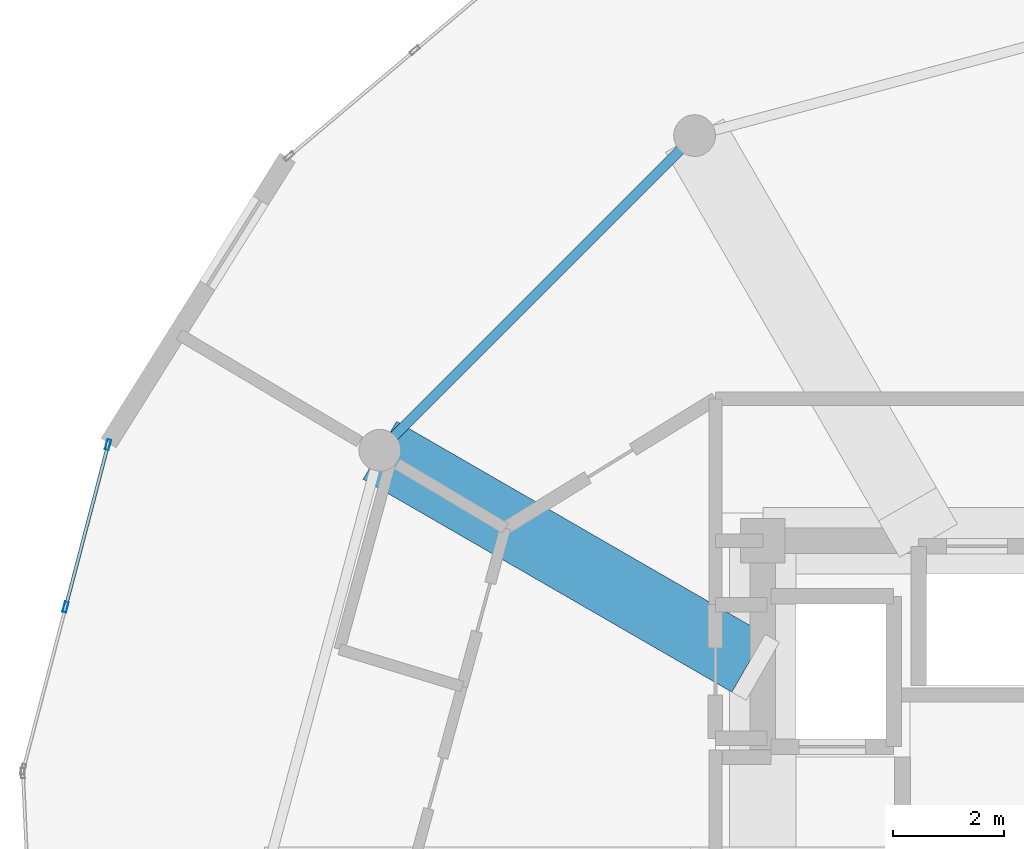
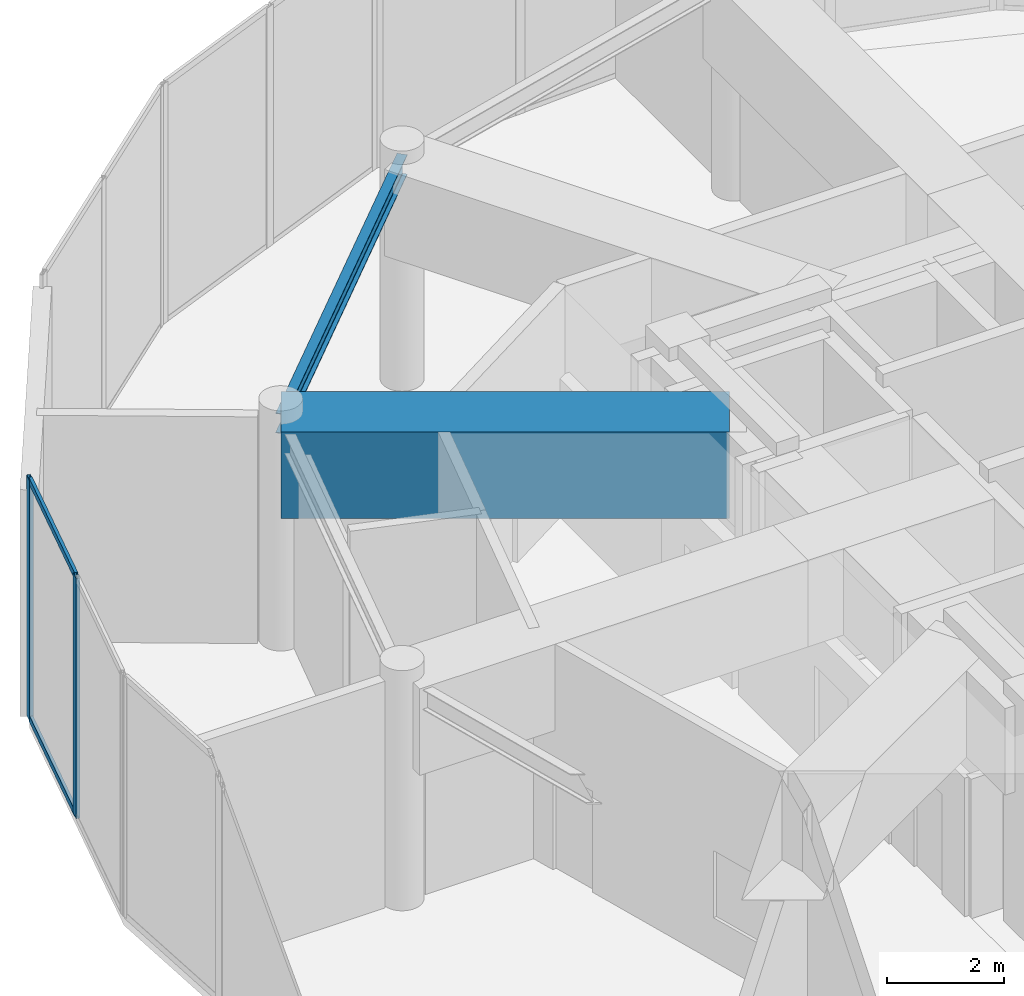
# One storey, part 10 of 20: 4 members, 2 beams, 1 element without a shape of its own.
"""IFC4 building model written with IfcOpenShell, lengths in metres."""

from ifc_helpers import new_model, si_unit, direction, frame, origin, origin_2d, place, context, subcontext, project, spatial, rectangle, hollow_rectangle, i_section, extrude, source, transform, mapped, material, layer, layer_set, material_profile, profile_set, type_object, element, aggregate, save


model = new_model("IFC4")

# Units and contexts
model_context = context("Model", 3, precision=1e-05, world=origin(), true_north=direction((0.0, 1.0)))
body_context = subcontext(model_context, "Body", "Model", "MODEL_VIEW")
ifc_project = project(units=[si_unit("LENGTHUNIT", "METRE"), si_unit("AREAUNIT", "SQUARE_METRE"), si_unit("VOLUMEUNIT", "CUBIC_METRE"), si_unit("PLANEANGLEUNIT", "RADIAN"), si_unit("MASSUNIT", "GRAM", prefix="KILO")], contexts=[model_context])

# Site, building, storey
site_placement = place(None, origin())
site = spatial("IfcSite", under=ifc_project, at=site_placement, CompositionType="ELEMENT")
building_placement = place(site_placement, origin())
building = spatial("IfcBuilding", under=site, at=building_placement, Name="Solvirekh Grand Hotel", CompositionType="ELEMENT")
storey_placement = place(building_placement, frame((0.0, 0.0, 297.199951171875)))
storey = spatial("IfcBuildingStorey", under=building, at=storey_placement, Name="L77", CompositionType="ELEMENT", Elevation=297.199951171875)

# Beams
ifc_material_1 = material(Name="Steel S355", Category="steel")
ifc_material_profile_1 = material_profile(ifc_material_1, i_section(OverallWidth=0.180908203125, OverallDepth=0.4169921875, WebThickness=0.010009765625, FlangeThickness=0.01611328125, FilletRadius=0.011962890625, at=origin_2d()), Name="W410X85")
ifc_profile_set_1 = profile_set([ifc_material_profile_1], Name="Steel S355")
beam_type_1 = type_object("IfcBeamType", Name="Spandrel_Ring_W410", PredefinedType="SPANDREL", material=ifc_profile_set_1)
beam_1_placement = place(storey_placement, frame((-7.72509765625, 13.3798828125, 4.470947265625), z_axis=(-0.707106781187, -0.707106781187, 0.0), x_axis=(0.707106781187, -0.707106781187, 0.0)))
element("IfcBeam", 1, at=beam_1_placement, inside=storey, type_object=beam_type_1, Name="L77 perimeter spandrel beam 5", PredefinedType="SPANDREL", context=body_context, shape_type="SweptSolid", body=[
    extrude(i_section(OverallWidth=0.180908203125, OverallDepth=0.4169921875, WebThickness=0.010009765625, FlangeThickness=0.01611328125, FilletRadius=0.011962890625, at=origin_2d()), origin(), (0.0, 0.0, 1.0), 7.9970703125),
])
ifc_material_2 = material(Name="Concrete C60/75", Category="concrete")
ifc_material_profile_2 = material_profile(ifc_material_2, rectangle(XDim=1.199951171875, YDim=1.800048828125, at=origin_2d()), Name="RC GIRDER 1200X1800")
ifc_profile_set_2 = profile_set([ifc_material_profile_2], Name="Concrete C60/75")
beam_type_2 = type_object("IfcBeamType", Name="TransferGirder_RC1800", PredefinedType="USERDEFINED", material=ifc_profile_set_2)
beam_2_placement = place(storey_placement, frame((-6.7548828125, 3.89990234375, 3.820068359375), z_axis=(-0.866011265228, 0.500024487898, 0.0), x_axis=(-0.500024487898, -0.866011265228, 0.0)))
element("IfcBeam", 2, at=beam_2_placement, inside=storey, type_object=beam_type_2, Name="L77 outer radial transfer girder 6B", ObjectType="TRANSFER GIRDER", PredefinedType="USERDEFINED", context=body_context, shape_type="SweptSolid", body=[
    extrude(rectangle(XDim=1.199951171875, YDim=1.800048828125, at=origin_2d()), origin(), (0.0, 0.0, 1.0), 7.64990234375),
])

# Curtain wall, members
ifc_material_3 = material(Name="Anodized Bronze Aluminium 6063-T6", Category="aluminium")
ifc_layer = layer(ifc_material_3, 0.18994140625)
ifc_layer_set = layer_set([ifc_layer], Name="Anodized Bronze Aluminium 6063-T6")
curtain_wall_type = type_object("IfcCurtainWallType", Name="CW_Sys5_SkyLobbyPanoramaCW", PredefinedType="NOTDEFINED", material=ifc_layer_set)
curtain_wall_placement = place(storey_placement, origin())
curtain_wall = element("IfcCurtainWall", 3, at=curtain_wall_placement, inside=storey, type_object=curtain_wall_type, Name="L77 unitised bronze-glass curtain wall CW-L77-C15", PredefinedType="NOTDEFINED")
ifc_material_profile_3 = material_profile(ifc_material_3, hollow_rectangle(XDim=0.070068359375, YDim=0.18994140625, WallThickness=0.0048828125, at=origin_2d()), Name="ALU RHS 190X70X5")
ifc_profile_set_3 = profile_set([ifc_material_profile_3], Name="Anodized Bronze Aluminium 6063-T6")
member_type_1 = type_object("IfcMemberType", Name="CWMullion_Sys5", PredefinedType="MULLION", material=ifc_profile_set_3)
shared_shape_1 = source(origin(), body_context, "Body", "SweptSolid", [
    extrude(hollow_rectangle(XDim=0.070068359375, YDim=0.18994140625, WallThickness=0.0048828125, at=origin_2d()), origin(), (0.0, 0.0, 1.0), 5.0),
])
member_1_placement = place(storey_placement, frame((-18.263916015625, 7.8232421875, 0.0), z_axis=(0.0, 0.0, 1.0), x_axis=(0.967470761088, -0.252982857998, 0.0)))
member_1 = element("IfcMember", 4, at=member_1_placement, type_object=member_type_1, Name="U05 mullion 1", PredefinedType="MULLION", context=body_context, shape_type="MappedRepresentation", body=[
    mapped(shared_shape_1, transform((0.0, 0.0, 0.0), x_axis=(1.0, 0.0, 0.0), y_axis=(0.0, 1.0, 0.0), z_axis=(0.0, 0.0, 1.0), scale=1.0)),
])
member_2_placement = place(storey_placement, frame((-19.02587890625, 4.908447265625, 0.0), z_axis=(0.0, 0.0, 1.0), x_axis=(0.967470761088, -0.252982857998, 0.0)))
member_2 = element("IfcMember", 5, at=member_2_placement, type_object=member_type_1, Name="U05 mullion 2", PredefinedType="MULLION", context=body_context, shape_type="MappedRepresentation", body=[
    mapped(shared_shape_1, transform((0.0, 0.0, 0.0), x_axis=(1.0, 0.0, 0.0), y_axis=(0.0, 1.0, 0.0), z_axis=(0.0, 0.0, 1.0), scale=1.0)),
])
ifc_material_profile_4 = material_profile(ifc_material_3, hollow_rectangle(XDim=0.06005859375, YDim=0.135009765625, WallThickness=0.00390625, at=origin_2d()), Name="ALU RHS 135X60X4")
ifc_profile_set_4 = profile_set([ifc_material_profile_4], Name="Anodized Bronze Aluminium 6063-T6")
member_type_2 = type_object("IfcMemberType", Name="CWTransom_Sys5", PredefinedType="USERDEFINED", material=ifc_profile_set_4)
shared_shape_2 = source(origin(), body_context, "Body", "SweptSolid", [
    extrude(hollow_rectangle(XDim=0.06005859375, YDim=0.135009765625, WallThickness=0.00390625, at=origin_2d()), origin(), (0.0, 0.0, 1.0), 2.942626953125),
])
member_3_placement = place(storey_placement, frame((-18.272705078125, 7.789306640625, 0.030029296875), z_axis=(-0.252965619899, -0.967475268495, 0.0), x_axis=(0.967475268495, -0.252965619899, 0.0)))
member_3 = element("IfcMember", 6, at=member_3_placement, type_object=member_type_2, Name="U05 transom 1.1", ObjectType="TRANSOM", PredefinedType="USERDEFINED", context=body_context, shape_type="MappedRepresentation", body=[
    mapped(shared_shape_2, transform((0.0, 0.0, 0.0), x_axis=(1.0, 0.0, 0.0), y_axis=(0.0, 1.0, 0.0), z_axis=(0.0, 0.0, 1.0), scale=1.0)),
])
member_4_placement = place(storey_placement, frame((-18.272705078125, 7.789306640625, 4.969970703125), z_axis=(-0.252965619899, -0.967475268495, 0.0), x_axis=(0.967475268495, -0.252965619899, 0.0)))
member_4 = element("IfcMember", 7, at=member_4_placement, type_object=member_type_2, Name="U05 transom 1.2", ObjectType="TRANSOM", PredefinedType="USERDEFINED", context=body_context, shape_type="MappedRepresentation", body=[
    mapped(shared_shape_2, transform((0.0, 0.0, 0.0), x_axis=(1.0, 0.0, 0.0), y_axis=(0.0, 1.0, 0.0), z_axis=(0.0, 0.0, 1.0), scale=1.0)),
])
aggregate(curtain_wall, [member_1, member_2, member_3, member_4])

save(model, "model.ifc")
